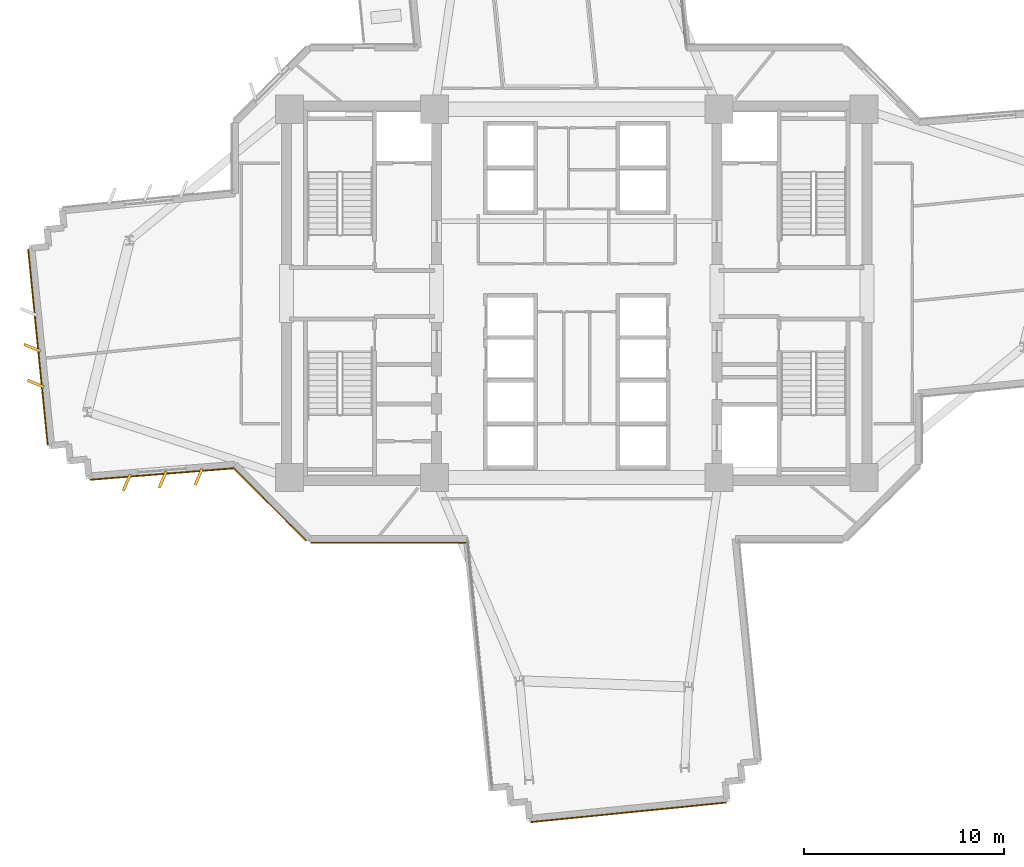
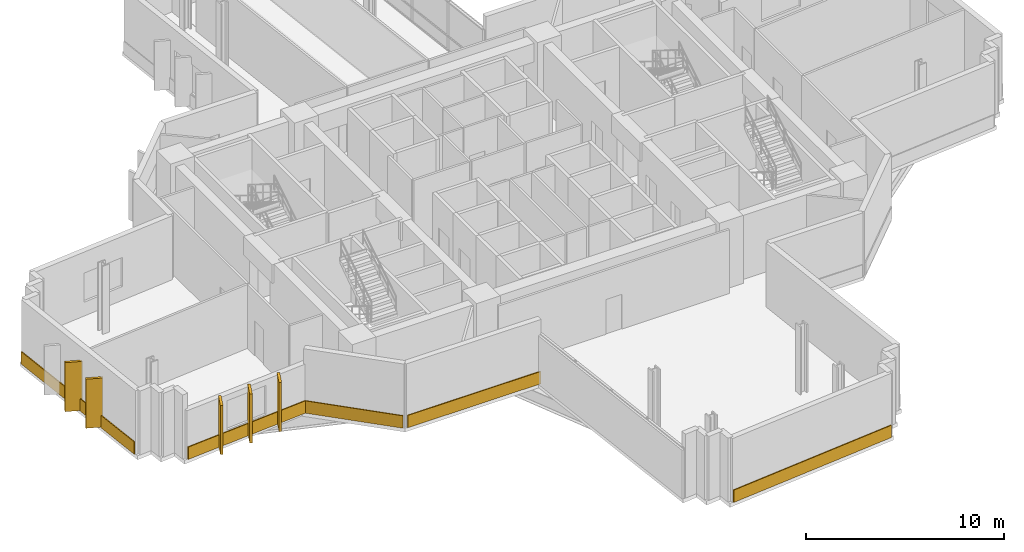
# One storey, part 11 of 14: 10 coverings.
"""IFC4 building model written with IfcOpenShell, lengths in metres."""

import ifcopenshell
import ifcopenshell.guid

model = None  # the IFC model being written
_history = None  # IfcOwnerHistory: only IFC2X3 demands one
_inside = {}  # id of a spatial element -> (the spatial element, [elements in it])
_under = {}  # id of a project, library or spatial element -> (it, [spatial elements below it])
_declared = {}  # id of a project -> (the project, [libraries it declares])
_typed = {}  # id of a type object -> (the type object, [elements of that type])
_made_of = {}  # id of a material, layer set ... -> (it, [elements and type objects made of it])


def new_model(schema):
    """Start an empty IFC model of exactly this schema.

    Asked for "IFC4X3", IfcOpenShell would pick the latest addendum, in which some entities
    have other attributes; the version numbers below select the first issue.
    IFC2X3 requires an IfcOwnerHistory on every rooted entity: one is made here for all.
    """
    global model, _history
    if schema == "IFC4X3":
        model = ifcopenshell.file(schema_version=(4, 3, 0, 0))
    else:
        model = ifcopenshell.file(schema=schema)
    _inside.clear()
    _under.clear()
    _declared.clear()
    _typed.clear()
    _made_of.clear()
    _history = None
    if model.schema == "IFC2X3":
        org = make("IfcOrganization", Name="unknown")
        user = make(
            "IfcPersonAndOrganization",
            ThePerson=make("IfcPerson", FamilyName="unknown"),
            TheOrganization=org,
        )
        app = make(
            "IfcApplication",
            ApplicationDeveloper=org,
            Version="unknown",
            ApplicationFullName="unknown",
            ApplicationIdentifier="unknown",
        )
        _history = make(
            "IfcOwnerHistory",
            OwningUser=user,
            OwningApplication=app,
            ChangeAction="ADDED",
            CreationDate=0,
        )
    return model


def make(cls, **values):
    """One entity of the class cls with the attributes given. An attribute that is None is left unset."""
    return model.create_entity(
        cls, **{name: value for name, value in values.items() if value is not None}
    )


def rooted(cls, **values):
    """An entity with a GlobalId (a new one), such as an element, a storey or a relation."""
    return make(cls, GlobalId=ifcopenshell.guid.new(), OwnerHistory=_history, **values)


def si_unit(unit_type, name, prefix=None):
    """IfcSIUnit, for example si_unit("LENGTHUNIT", "METRE", prefix="MILLI")."""
    return make("IfcSIUnit", UnitType=unit_type, Prefix=prefix, Name=name)


def assignment(units):
    """IfcUnitAssignment: the units of a project."""
    return None if units is None else make("IfcUnitAssignment", Units=units)


def point(xyz):
    """IfcCartesianPoint."""
    return None if xyz is None else make("IfcCartesianPoint", Coordinates=xyz)


def direction(xyz):
    """IfcDirection."""
    return None if xyz is None else make("IfcDirection", DirectionRatios=xyz)


def frame(location, z_axis=None, x_axis=None):
    """IfcAxis2Placement3D, a coordinate frame: its origin and axes. An axis left out is left unset."""
    return make(
        "IfcAxis2Placement3D",
        Location=point(location),
        Axis=direction(z_axis),
        RefDirection=direction(x_axis),
    )


def frame_2d(location, x_axis=None):
    """IfcAxis2Placement2D, a coordinate frame in the plane: its origin and x axis."""
    return make(
        "IfcAxis2Placement2D", Location=point(location), RefDirection=direction(x_axis)
    )


def origin():
    """The frame at (0, 0, 0) with its axes left unset."""
    return frame((0.0, 0.0, 0.0))


def origin_2d():
    """The frame at (0, 0) in the plane with its x axis left unset."""
    return frame_2d((0.0, 0.0))


def place(relative_to, where):
    """IfcLocalPlacement: puts the frame where relative to a parent placement (None: the world)."""
    return make(
        "IfcLocalPlacement", PlacementRelTo=relative_to, RelativePlacement=where
    )


def context(
    kind, dimensions, precision=None, world=None, true_north=None, identifier=None
):
    """IfcGeometricRepresentationContext, for example the 3D "Model" context."""
    return make(
        "IfcGeometricRepresentationContext",
        ContextIdentifier=identifier,
        ContextType=kind,
        CoordinateSpaceDimension=dimensions,
        Precision=precision,
        WorldCoordinateSystem=world,
        TrueNorth=true_north,
    )


def subcontext(parent, identifier, kind, view, scale=None):
    """IfcGeometricRepresentationSubContext, for example "Body" below "Model"."""
    return make(
        "IfcGeometricRepresentationSubContext",
        ContextIdentifier=identifier,
        ContextType=kind,
        ParentContext=parent,
        TargetScale=scale,
        TargetView=view,
    )


def project(units=None, contexts=None):
    """IfcProject with its units and contexts."""
    return rooted(
        "IfcProject",
        Name="project",
        RepresentationContexts=contexts,
        UnitsInContext=assignment(units),
    )


def spatial(cls, under=None, at=None, **own):
    """A site, building, storey or space (cls), placed at a placement, below another one or the project."""
    s = rooted(cls, ObjectPlacement=at, **own)
    if under is not None:
        _under.setdefault(under.id(), (under, []))[1].append(s)
    return s


def profile(cls, at=None, kind="AREA", **sizes):
    """A parametric profile (cls). Its sizes go by their IFC names, for example OverallWidth=200.0."""
    return make(cls, ProfileType=kind, Position=at, **sizes)


def rectangle(**sizes):
    """IfcRectangleProfileDef."""
    return profile("IfcRectangleProfileDef", **sizes)


def extrude(swept, where, along, depth):
    """IfcExtrudedAreaSolid: the profile swept, set in the frame where, extruded along a direction by depth."""
    return make(
        "IfcExtrudedAreaSolid",
        SweptArea=swept,
        Position=where,
        ExtrudedDirection=direction(along),
        Depth=depth,
    )


def shape(context_of_items, identifier, shape_type, items):
    """IfcShapeRepresentation: the items that make up one representation, for example the "Body"."""
    return make(
        "IfcShapeRepresentation",
        ContextOfItems=context_of_items,
        RepresentationIdentifier=identifier,
        RepresentationType=shape_type,
        Items=items,
    )


def source(mapping_origin, context_of_items, identifier, shape_type, items):
    """IfcRepresentationMap: a shape defined once, which mapped items show again and again."""
    return make(
        "IfcRepresentationMap",
        MappingOrigin=mapping_origin,
        MappedRepresentation=shape(context_of_items, identifier, shape_type, items),
    )


def transform(
    local_origin,
    x_axis=None,
    y_axis=None,
    z_axis=None,
    scale=None,
    scale2=None,
    scale3=None,
    uniform=True,
):
    """IfcCartesianTransformationOperator3D, or its non-uniform kind. x_axis, y_axis, z_axis: its Axis1, 2, 3."""
    if uniform:
        return make(
            "IfcCartesianTransformationOperator3D",
            Axis1=direction(x_axis),
            Axis2=direction(y_axis),
            LocalOrigin=point(local_origin),
            Scale=scale,
            Axis3=direction(z_axis),
        )
    return make(
        "IfcCartesianTransformationOperator3DnonUniform",
        Axis1=direction(x_axis),
        Axis2=direction(y_axis),
        LocalOrigin=point(local_origin),
        Scale=scale,
        Axis3=direction(z_axis),
        Scale2=scale2,
        Scale3=scale3,
    )


def mapped(mapping_source, mapping_target):
    """IfcMappedItem: shows the shape of a source again, moved by a transform."""
    return make(
        "IfcMappedItem", MappingSource=mapping_source, MappingTarget=mapping_target
    )


def material(Name=None, Category=None):
    """IfcMaterial."""
    return make("IfcMaterial", Name=Name, Category=Category)


def layer(
    of_material, thickness, ventilated=None, Name=None, Category=None, Priority=None
):
    """IfcMaterialLayer: one layer of a wall or slab, of a material (None: an air gap)."""
    return make(
        "IfcMaterialLayer",
        Material=of_material,
        LayerThickness=thickness,
        IsVentilated=ventilated,
        Name=Name,
        Category=Category,
        Priority=Priority,
    )


def layer_set(layers, Name=None):
    """IfcMaterialLayerSet."""
    return make("IfcMaterialLayerSet", MaterialLayers=layers, LayerSetName=Name)


def made_of(thing, what):
    """Note that an element or type object is made of a material, layer set ...; save() writes the relation."""
    if what is not None:
        _made_of.setdefault(what.id(), (what, []))[1].append(thing)
    return thing


def type_object(cls, material=None, **own):
    """A type object (cls), such as IfcWallType, which elements share."""
    return made_of(rooted(cls, **own), material)


def element(
    cls,
    number,
    at=None,
    inside=None,
    cuts=None,
    type_object=None,
    material=None,
    context=None,
    identifier="Body",
    shape_type=None,
    held_by="IfcProductDefinitionShape",
    body=None,
    shapes=None,
    **own,
):
    """One element of the class cls, such as IfcWall. Its Tag is "e" and its number.

    at: its placement. inside: the storey or other place that contains it. cuts: it is an
    opening in that element (IfcRelVoidsElement). A single representation is given by context,
    identifier, shape_type and body (its items); several are given by shapes. held_by: the class
    of the entity that holds the representations. save() writes the other relations.
    """
    e = rooted(cls, Tag="e%d" % number, ObjectPlacement=at, **own)
    if body is not None:
        shapes = [shape(context, identifier, shape_type, body)]
    if shapes is not None:
        e.Representation = make(held_by, Representations=shapes)
    if inside is not None:
        _inside.setdefault(inside.id(), (inside, []))[1].append(e)
    if cuts is not None:
        rooted(
            "IfcRelVoidsElement", RelatingBuildingElement=cuts, RelatedOpeningElement=e
        )
    if type_object is not None:
        _typed.setdefault(type_object.id(), (type_object, []))[1].append(e)
    return made_of(e, material)


def aggregate(whole, parts):
    """IfcRelAggregates: a whole, such as a stair, and the parts it consists of."""
    return rooted("IfcRelAggregates", RelatingObject=whole, RelatedObjects=parts)


def save(model, path):
    """Write the relations noted so far, then the file.

    IfcRelAggregates (storeys below a building ...), IfcRelContainedInSpatialStructure (elements
    in a storey), IfcRelDefinesByType, IfcRelAssociatesMaterial and IfcRelDeclares: one each for
    every whole, place, type object, material and project.
    """
    for whole, parts in _under.values():
        aggregate(whole, parts)
    for where, things in _inside.values():
        rooted(
            "IfcRelContainedInSpatialStructure",
            RelatedElements=things,
            RelatingStructure=where,
        )
    for kind, things in _typed.values():
        rooted("IfcRelDefinesByType", RelatedObjects=things, RelatingType=kind)
    for what, things in _made_of.values():
        rooted("IfcRelAssociatesMaterial", RelatedObjects=things, RelatingMaterial=what)
    for by, libraries in _declared.values():
        rooted("IfcRelDeclares", RelatingContext=by, RelatedDefinitions=libraries)
    model.write(path)


model = new_model("IFC4")

# Units and contexts
model_context = context("Model", 3, precision=1e-05, world=origin(), true_north=direction((0.0, 1.0)))
body_context = subcontext(model_context, "Body", "Model", "MODEL_VIEW")
ifc_project = project(units=[si_unit("LENGTHUNIT", "METRE"), si_unit("AREAUNIT", "SQUARE_METRE"), si_unit("VOLUMEUNIT", "CUBIC_METRE"), si_unit("PLANEANGLEUNIT", "RADIAN"), si_unit("MASSUNIT", "GRAM", prefix="KILO")], contexts=[model_context])

# Site, building, storey
site_placement = place(None, origin())
site = spatial("IfcSite", under=ifc_project, at=site_placement, CompositionType="ELEMENT")
building_placement = place(site_placement, origin())
building = spatial("IfcBuilding", under=site, at=building_placement, Name="Zahravan Cultural Tower", CompositionType="ELEMENT")
storey_placement = place(building_placement, frame((0.0, 0.0, 100.5)))
storey = spatial("IfcBuildingStorey", under=building, at=storey_placement, Name="L22", CompositionType="ELEMENT", Elevation=100.5)

# Coverings
ifc_material = material(Name="Terracotta ceramic cladding", Category="masonry")
ifc_layer = layer(ifc_material, 0.06005859375)
ifc_layer_set = layer_set([ifc_layer], Name="Terracotta ceramic cladding")
covering_type = type_object("IfcCoveringType", Name="COV-CLAD-TC60", PredefinedType="CLADDING", material=ifc_layer_set)
shared_shape_1 = source(origin(), body_context, "Body", "SweptSolid", [
    extrude(rectangle(XDim=9.820068359375, YDim=0.06005859375, at=origin_2d()), origin(), (0.0, 0.0, 1.0), 0.760009765625),
])
for number, where, z_axis, x_axis, name in (
    (1, (9.088623046875, 24.31396484375, 0.02001953125), (0.0, 0.0, 1.0), (-0.099319749744, 0.995055569961, 0.0), "L22 Terracotta Spandrel Cladding 06"),
    (2, (38.5869140625, 1.083740234375, 0.02001953125), (0.0, 0.0, 1.0), (-0.995055569961, -0.099319749744, 0.0), "L22 Terracotta Spandrel Cladding 46"),
):
    element("IfcCovering", number, at=place(storey_placement, frame(where, z_axis=z_axis, x_axis=x_axis)), inside=storey, type_object=covering_type, Name=name, PredefinedType="CLADDING", context=body_context, shape_type="MappedRepresentation", body=[
        mapped(shared_shape_1, transform((0.0, 0.0, 0.0), x_axis=(1.0, 0.0, 0.0), y_axis=(0.0, 1.0, 0.0), z_axis=(0.0, 0.0, 1.0), scale=1.0)),
    ])
shared_shape_2 = source(origin(), body_context, "Body", "SweptSolid", [
    extrude(rectangle(XDim=5.157958984375, YDim=0.06005859375, at=origin_2d()), origin(), (0.0, 0.0, 1.0), 0.760009765625),
])
covering_1_placement = place(storey_placement, frame((20.668212890625, 16.46826171875, 0.02001953125), z_axis=(0.0, 0.0, 1.0), x_axis=(-0.707106781187, 0.707106781187, 0.0)))
element("IfcCovering", 3, at=covering_1_placement, inside=storey, type_object=covering_type, Name="L22 Terracotta Spandrel Cladding 52", PredefinedType="CLADDING", context=body_context, shape_type="MappedRepresentation", body=[
    mapped(shared_shape_2, transform((0.0, 0.0, 0.0), x_axis=(1.0, 0.0, 0.0), y_axis=(0.0, 1.0, 0.0), z_axis=(0.0, 0.0, 1.0), scale=1.0)),
])
shared_shape_3 = source(origin(), body_context, "Body", "SweptSolid", [
    extrude(rectangle(XDim=0.8798828125, YDim=0.139892578125, at=origin_2d()), origin(), (0.0, 0.0, 1.0), 3.030029296875),
])
for number, where, z_axis, x_axis, name in (
    (4, (17.114501953125, 17.8408203125, 0.0498046875), (0.0, 0.0, 1.0), (-0.397708440899, -0.917511850625, 0.0), "L22 Herringbone Terracotta Fin 01"),
    (5, (15.3203125, 17.697509765625, 0.0498046875), (0.0, 0.0, 1.0), (-0.397708440899, -0.917511850625, 0.0), "L22 Herringbone Terracotta Fin 02"),
    (6, (13.526123046875, 17.55419921875, 0.0498046875), (0.0, 0.0, 1.0), (-0.397708440899, -0.917511850625, 0.0), "L22 Herringbone Terracotta Fin 03"),
    (7, (8.98388671875, 22.494384765625, 0.0498046875), (0.0, 0.0, 1.0), (-0.925209718386, 0.379456159529, 0.0), "L22 Herringbone Terracotta Fin 04"),
    (8, (8.80517578125, 24.28564453125, 0.0498046875), (0.0, 0.0, 1.0), (-0.925209718386, 0.379456159529, 0.0), "L22 Herringbone Terracotta Fin 05"),
):
    element("IfcCovering", number, at=place(storey_placement, frame(where, z_axis=z_axis, x_axis=x_axis)), inside=storey, type_object=covering_type, Name=name, PredefinedType="CLADDING", context=body_context, shape_type="MappedRepresentation", body=[
        mapped(shared_shape_3, transform((0.0, 0.0, 0.0), x_axis=(1.0, 0.0, 0.0), y_axis=(0.0, 1.0, 0.0), z_axis=(0.0, 0.0, 1.0), scale=1.0)),
    ])
shared_shape_4 = source(origin(), body_context, "Body", "SweptSolid", [
    extrude(rectangle(XDim=7.2373046875, YDim=0.06005859375, at=origin_2d()), origin(), (0.0, 0.0, 1.0), 0.760009765625),
])
covering_2_placement = place(storey_placement, frame((15.297607421875, 17.981689453125, 0.02001953125), z_axis=(0.0, 0.0, 1.0), x_axis=(-0.996827683211, -0.079590011836, 0.0)))
element("IfcCovering", 9, at=covering_2_placement, inside=storey, type_object=covering_type, Name="L22 Terracotta Spandrel Cladding 01", PredefinedType="CLADDING", context=body_context, shape_type="MappedRepresentation", body=[
    mapped(shared_shape_4, transform((0.0, 0.0, 0.0), x_axis=(1.0, 0.0, 0.0), y_axis=(0.0, 1.0, 0.0), z_axis=(0.0, 0.0, 1.0), scale=1.0)),
])
shared_shape_5 = source(origin(), body_context, "Body", "SweptSolid", [
    extrude(rectangle(XDim=7.772705078125, YDim=0.06005859375, at=origin_2d()), origin(), (0.0, 0.0, 1.0), 0.760009765625),
])
covering_3_placement = place(storey_placement, frame((26.59423828125, 14.554931640625, 0.02001953125), z_axis=(0.0, 0.0, 1.0), x_axis=(-1.0, 0.0, 0.0)))
element("IfcCovering", 10, at=covering_3_placement, inside=storey, type_object=covering_type, Name="L22 Terracotta Spandrel Cladding 51", PredefinedType="CLADDING", context=body_context, shape_type="MappedRepresentation", body=[
    mapped(shared_shape_5, transform((0.0, 0.0, 0.0), x_axis=(1.0, 0.0, 0.0), y_axis=(0.0, 1.0, 0.0), z_axis=(0.0, 0.0, 1.0), scale=1.0)),
])

save(model, "model.ifc")
